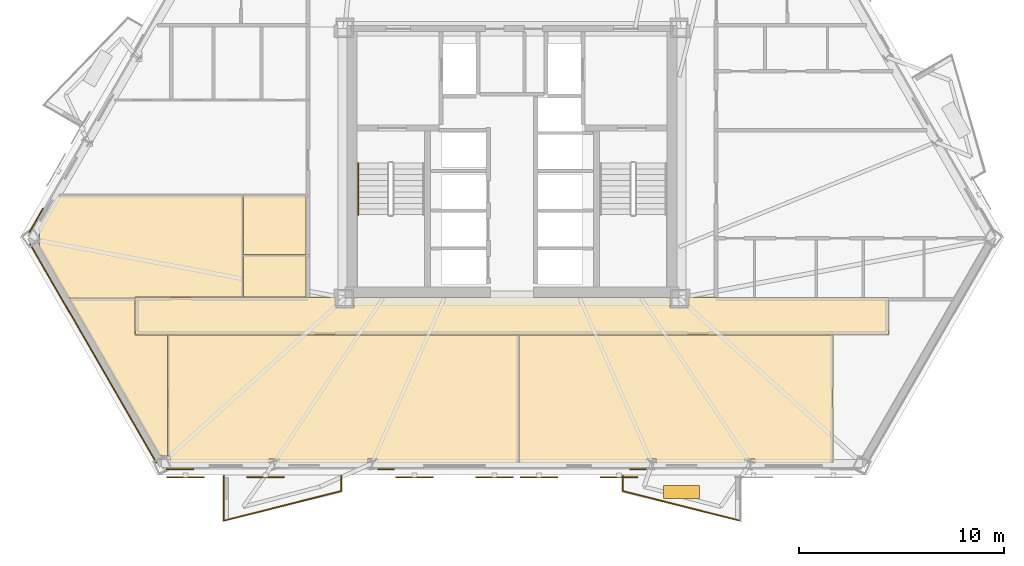
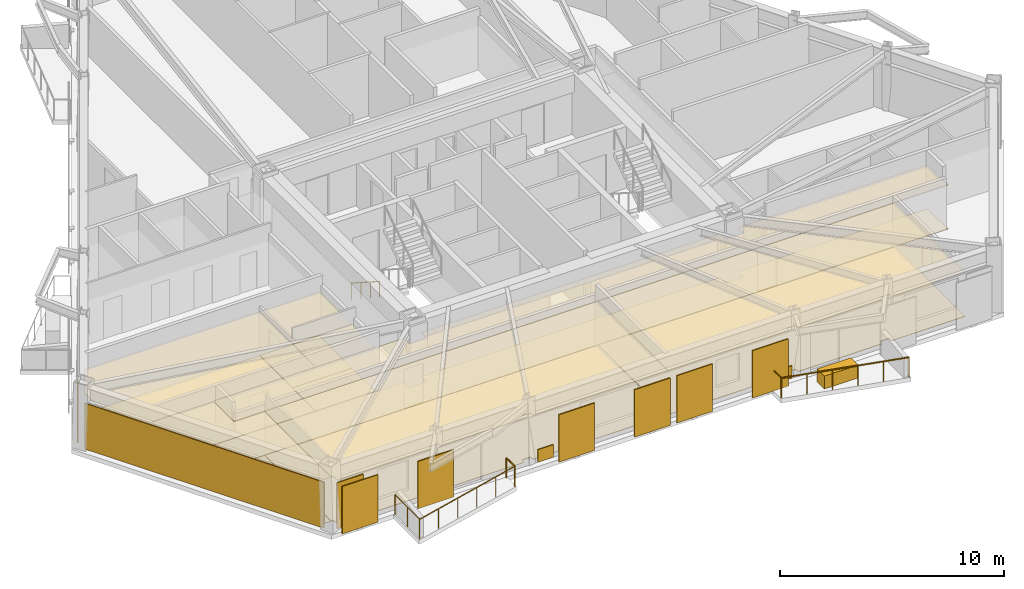
# One storey, part 8 of 11: 20 coverings, 6 railings, 6 shading devices.
"""IFC4 building model written with IfcOpenShell, lengths in metres."""

from ifc_helpers import new_model, si_unit, direction, frame, origin, origin_2d, place, context, subcontext, project, spatial, polyline, rectangle, circle, outline, extrude, material, layer, layer_set, type_object, element, save


model = new_model("IFC4")

# Units and contexts
model_context = context("Model", 3, precision=1e-05, world=origin(), true_north=direction((0.0, 1.0)))
body_context = subcontext(model_context, "Body", "Model", "MODEL_VIEW")
ifc_project = project(units=[si_unit("LENGTHUNIT", "METRE"), si_unit("AREAUNIT", "SQUARE_METRE"), si_unit("VOLUMEUNIT", "CUBIC_METRE"), si_unit("PLANEANGLEUNIT", "RADIAN"), si_unit("MASSUNIT", "GRAM", prefix="KILO")], contexts=[model_context])

# Site, building, storey
site_placement = place(None, origin())
site = spatial("IfcSite", under=ifc_project, at=site_placement, CompositionType="ELEMENT")
building_placement = place(site_placement, origin())
building = spatial("IfcBuilding", under=site, at=building_placement, Name="Oramaril Tower", CompositionType="ELEMENT")
storey_placement = place(building_placement, frame((0.0, 0.0, 82.5)))
storey = spatial("IfcBuildingStorey", under=building, at=storey_placement, Name="L21", CompositionType="ELEMENT", Elevation=82.5)

# Coverings
ifc_material_1 = material(Name="Mineral Fibre Acoustic Ceiling")
ifc_layer_1 = layer(ifc_material_1, 0.02001953125)
ifc_layer_set_1 = layer_set([ifc_layer_1], Name="CVT-CEIL")
covering_type_1 = type_object("IfcCoveringType", Name="CVT-CEIL", PredefinedType="CEILING", material=ifc_layer_set_1)
covering_1_placement = place(storey_placement, frame((0.0, 0.0, 2.39990234375)))
element("IfcCovering", 1, at=covering_1_placement, inside=storey, type_object=covering_type_1, Name="L21 Acoustic Suspended Ceiling 1", PredefinedType="CEILING", context=body_context, shape_type="SweptSolid", body=[
    extrude(outline(polyline([(28.905029296875, 10.554931640625), (29.794921875, 10.554931640625), (29.794921875, 11.030029296875), (45.205078125, 11.030029296875), (45.205078125, 10.554931640625), (46.094970703125, 10.554931640625), (46.094970703125, 11.030029296875), (55.8798828125, 11.030029296875), (55.8798828125, 9.219970703125), (19.1201171875, 9.219970703125), (19.1201171875, 11.030029296875), (28.905029296875, 11.030029296875), (28.905029296875, 10.554931640625)])), origin(), (0.0, 0.0, 1.0), 0.02001953125),
])
covering_2_placement = place(storey_placement, frame((0.0, 0.0, 2.39990234375)))
element("IfcCovering", 2, at=covering_2_placement, inside=storey, type_object=covering_type_1, Name="L21 Acoustic Suspended Ceiling 6", PredefinedType="CEILING", context=body_context, shape_type="SweptSolid", body=[
    extrude(outline(polyline([(30.9013671875, 3.1533203125), (30.438720703125, 3.1533203125), (30.438720703125, 2.947265625), (26.126220703125, 2.947265625), (26.126220703125, 3.1533203125), (25.651611328125, 3.1533203125), (25.651611328125, 2.947265625), (20.81591796875, 2.947265625), (20.81591796875, 3.30029296875), (20.704345703125, 3.30029296875), (20.704345703125, 9.199951171875), (37.842041015625, 9.199951171875), (37.842041015625, 2.947265625), (30.9013671875, 2.947265625), (30.9013671875, 3.1533203125)])), origin(), (0.0, 0.0, 1.0), 0.02001953125),
])
covering_3_placement = place(storey_placement, frame((0.0, 0.0, 2.39990234375)))
element("IfcCovering", 3, at=covering_3_placement, inside=storey, type_object=covering_type_1, Name="L21 Acoustic Suspended Ceiling 7", PredefinedType="CEILING", context=body_context, shape_type="SweptSolid", body=[
    extrude(outline(polyline([(20.30419921875, 3.30029296875), (15.863525390625, 10.991943359375), (19.10009765625, 10.991943359375), (19.10009765625, 9.219970703125), (19.10009765625, 9.218017578125), (19.100341796875, 9.216064453125), (19.100830078125, 9.214111328125), (19.1015625, 9.21240234375), (19.102294921875, 9.210693359375), (19.103515625, 9.208984375), (19.1044921875, 9.207275390625), (19.10595703125, 9.205810546875), (19.107421875, 9.20458984375), (19.10888671875, 9.203369140625), (19.110595703125, 9.202392578125), (19.1123046875, 9.201416015625), (19.1142578125, 9.200927734375), (19.1162109375, 9.200439453125), (19.117919921875, 9.2001953125), (19.1201171875, 9.199951171875), (20.684326171875, 9.199951171875), (20.684326171875, 3.30029296875), (20.30419921875, 3.30029296875)])), origin(), (0.0, 0.0, 1.0), 0.02001953125),
])
covering_4_placement = place(storey_placement, frame((0.0, 0.0, 2.39990234375)))
element("IfcCovering", 4, at=covering_4_placement, inside=storey, type_object=covering_type_1, Name="L21 Acoustic Suspended Ceiling 8", PredefinedType="CEILING", context=body_context, shape_type="SweptSolid", body=[
    extrude(outline(polyline([(49.348388671875, 2.947265625), (49.348388671875, 3.1533203125), (48.873779296875, 3.1533203125), (48.873779296875, 2.947265625), (44.561279296875, 2.947265625), (44.561279296875, 3.1533203125), (44.0986328125, 3.1533203125), (44.0986328125, 2.947265625), (37.862060546875, 2.947265625), (37.862060546875, 9.199951171875), (53.15185546875, 9.199951171875), (53.15185546875, 2.947265625), (49.348388671875, 2.947265625)])), origin(), (0.0, 0.0, 1.0), 0.02001953125),
])
covering_5_placement = place(storey_placement, frame((0.0, 0.0, 2.39990234375)))
element("IfcCovering", 5, at=covering_5_placement, inside=storey, type_object=covering_type_1, Name="L21 Acoustic Suspended Ceiling 10", PredefinedType="CEILING", context=body_context, shape_type="SweptSolid", body=[
    extrude(outline(polyline([(24.3720703125, 11.050048828125), (19.1201171875, 11.050048828125), (19.117919921875, 11.0498046875), (19.1162109375, 11.049560546875), (19.1142578125, 11.049072265625), (19.1123046875, 11.048583984375), (19.110595703125, 11.047607421875), (19.10888671875, 11.046630859375), (19.107421875, 11.04541015625), (19.10595703125, 11.044189453125), (19.1044921875, 11.042724609375), (19.103515625, 11.041015625), (19.102294921875, 11.039306640625), (19.1015625, 11.03759765625), (19.100830078125, 11.035888671875), (19.100341796875, 11.033935546875), (19.10009765625, 11.031982421875), (19.10009765625, 11.030029296875), (19.10009765625, 11.011962890625), (15.863525390625, 11.011962890625), (15.861572265625, 11.011962890625), (15.859619140625, 11.01171875), (15.857666015625, 11.010986328125), (15.855712890625, 11.010498046875), (15.85400390625, 11.009521484375), (15.853515625, 11.00927734375), (14.41015625, 13.50927734375), (14.45263671875, 13.50927734375), (14.45263671875, 14.3310546875), (14.363037109375, 14.3310546875), (15.350830078125, 16.0419921875), (24.3720703125, 16.0419921875), (24.3720703125, 11.050048828125)])), origin(), (0.0, 0.0, 1.0), 0.02001953125),
])
covering_6_placement = place(storey_placement, frame((0.0, 0.0, 2.39990234375)))
element("IfcCovering", 6, at=covering_6_placement, inside=storey, type_object=covering_type_1, Name="L21 Acoustic Suspended Ceiling 11", PredefinedType="CEILING", context=body_context, shape_type="SweptSolid", body=[
    extrude(outline(polyline([(27.449951171875, 13.111572265625), (27.449951171875, 11.050048828125), (24.39208984375, 11.050048828125), (24.39208984375, 13.111572265625), (27.449951171875, 13.111572265625)])), origin(), (0.0, 0.0, 1.0), 0.02001953125),
])
covering_7_placement = place(storey_placement, frame((0.0, 0.0, 2.39990234375)))
element("IfcCovering", 7, at=covering_7_placement, inside=storey, type_object=covering_type_1, Name="L21 Acoustic Suspended Ceiling 12", PredefinedType="CEILING", context=body_context, shape_type="SweptSolid", body=[
    extrude(outline(polyline([(27.449951171875, 16.0419921875), (27.449951171875, 13.131591796875), (24.39208984375, 13.131591796875), (24.39208984375, 16.0419921875), (27.449951171875, 16.0419921875)])), origin(), (0.0, 0.0, 1.0), 0.02001953125),
])
ifc_material_2 = material(Name="Warm Cream Limestone", Category="masonry")
ifc_layer_2 = layer(ifc_material_2, 0.050048828125)
ifc_layer_set_2 = layer_set([ifc_layer_2], Name="CVT-CLD")
covering_type_2 = type_object("IfcCoveringType", Name="CVT-CLD", PredefinedType="CLADDING", material=ifc_layer_set_2)
covering_8_placement = place(storey_placement, frame((17.068115234375, 8.3037109375, 0.0400390625), z_axis=(0.0, 0.0, 1.0), x_axis=(0.499995465495, -0.866028021766, 0.0)))
element("IfcCovering", 8, at=covering_8_placement, inside=storey, type_object=covering_type_2, Name="L21 Warm Cream Limestone Cladding", PredefinedType="CLADDING", context=body_context, shape_type="SweptSolid", body=[
    extrude(rectangle(XDim=12.34228515625, YDim=0.050048828125, at=origin_2d()), origin(), (0.0, 0.0, 1.0), 2.498046875),
])
covering_9_placement = place(storey_placement, frame((21.2958984375, 2.646240234375, 0.0400390625), z_axis=(0.0, 0.0, 1.0), x_axis=(1.0, 0.0, 0.0)))
element("IfcCovering", 9, at=covering_9_placement, inside=storey, type_object=covering_type_2, Name="L21 Warm Cream Limestone Cladding", PredefinedType="CLADDING", context=body_context, shape_type="SweptSolid", body=[
    extrude(rectangle(XDim=1.35009765625, YDim=0.050048828125, at=origin_2d()), origin(), (0.0, 0.0, 1.0), 2.498046875),
])
for number, where, z_axis, x_axis, name in (
    (10, (31.360595703125, 2.646240234375, 0.0400390625), (0.0, 0.0, 1.0), (1.0, 0.0, 0.0), "L21 Warm Cream Limestone Spandrel Cladding"),
    (11, (43.639404296875, 2.646240234375, 0.0400390625), (0.0, 0.0, 1.0), (1.0, 0.0, 0.0), "L21 Warm Cream Limestone Spandrel Cladding"),
):
    element("IfcCovering", number, at=place(storey_placement, frame(where, z_axis=z_axis, x_axis=x_axis)), inside=storey, type_object=covering_type_2, Name=name, PredefinedType="CLADDING", context=body_context, shape_type="SweptSolid", body=[
        extrude(rectangle(XDim=0.800048828125, YDim=0.050048828125, at=origin_2d()), origin(), (0.0, 0.0, 1.0), 0.679931640625),
    ])
covering_10_placement = place(storey_placement, frame((14.28271484375, 14.793701171875, 0.0400390625), z_axis=(0.0, 0.0, 1.0), x_axis=(-0.5, -0.866025403784, 0.0)))
element("IfcCovering", 12, at=covering_10_placement, inside=storey, type_object=covering_type_2, Name="L21 Warm Cream Limestone Cladding", PredefinedType="CLADDING", context=body_context, shape_type="SweptSolid", body=[
    extrude(rectangle(XDim=1.35009765625, YDim=0.050048828125, at=origin_2d()), origin(), (0.0, 0.0, 1.0), 2.498046875),
])
covering_11_placement = place(storey_placement, frame((45.769775390625, 1.542724609375, 0.0), z_axis=(0.0, 0.0, 1.0), x_axis=(1.0, 0.0, 0.0)))
element("IfcCovering", 13, at=covering_11_placement, inside=storey, type_object=covering_type_2, Name="L21 Structural Tree Planter Box L21-BAL-S2", PredefinedType="CLADDING", context=body_context, shape_type="SweptSolid", body=[
    extrude(rectangle(XDim=1.75, YDim=0.64990234375, at=origin_2d()), origin(), (0.0, 0.0, 1.0), 0.699951171875),
])
ifc_material_3 = material(Name="Honed Quartzite Stone Flooring", Category="masonry")
ifc_layer_3 = layer(ifc_material_3, 0.02490234375)
ifc_layer_set_3 = layer_set([ifc_layer_3], Name="CVT-FLR")
covering_type_3 = type_object("IfcCoveringType", Name="CVT-FLR", PredefinedType="FLOORING", material=ifc_layer_set_3)
covering_12_placement = place(storey_placement, origin())
element("IfcCovering", 14, at=covering_12_placement, inside=storey, type_object=covering_type_3, Name="L21 Honed Stone Floor Finish 1", PredefinedType="FLOORING", context=body_context, shape_type="SweptSolid", body=[
    extrude(outline(polyline([(28.905029296875, 10.554931640625), (29.794921875, 10.554931640625), (29.794921875, 11.030029296875), (45.205078125, 11.030029296875), (45.205078125, 10.554931640625), (46.094970703125, 10.554931640625), (46.094970703125, 11.030029296875), (55.8798828125, 11.030029296875), (55.8798828125, 9.219970703125), (19.1201171875, 9.219970703125), (19.1201171875, 11.030029296875), (28.905029296875, 11.030029296875), (28.905029296875, 10.554931640625)])), origin(), (0.0, 0.0, 1.0), 0.02490234375),
])
covering_13_placement = place(storey_placement, origin())
element("IfcCovering", 15, at=covering_13_placement, inside=storey, type_object=covering_type_3, Name="L21 Honed Stone Floor Finish 6", PredefinedType="FLOORING", context=body_context, shape_type="SweptSolid", body=[
    extrude(outline(polyline([(30.9013671875, 3.1533203125), (30.438720703125, 3.1533203125), (30.438720703125, 2.947265625), (26.126220703125, 2.947265625), (26.126220703125, 3.1533203125), (25.651611328125, 3.1533203125), (25.651611328125, 2.947265625), (20.81591796875, 2.947265625), (20.81591796875, 3.30029296875), (20.704345703125, 3.30029296875), (20.704345703125, 9.199951171875), (37.842041015625, 9.199951171875), (37.842041015625, 2.947265625), (30.9013671875, 2.947265625), (30.9013671875, 3.1533203125)])), origin(), (0.0, 0.0, 1.0), 0.02490234375),
])
covering_14_placement = place(storey_placement, origin())
element("IfcCovering", 16, at=covering_14_placement, inside=storey, type_object=covering_type_3, Name="L21 Honed Stone Floor Finish 7", PredefinedType="FLOORING", context=body_context, shape_type="SweptSolid", body=[
    extrude(outline(polyline([(20.30419921875, 3.30029296875), (15.863525390625, 10.991943359375), (19.10009765625, 10.991943359375), (19.10009765625, 9.219970703125), (19.10009765625, 9.218017578125), (19.100341796875, 9.216064453125), (19.100830078125, 9.214111328125), (19.1015625, 9.21240234375), (19.102294921875, 9.210693359375), (19.103515625, 9.208984375), (19.1044921875, 9.207275390625), (19.10595703125, 9.205810546875), (19.107421875, 9.20458984375), (19.10888671875, 9.203369140625), (19.110595703125, 9.202392578125), (19.1123046875, 9.201416015625), (19.1142578125, 9.200927734375), (19.1162109375, 9.200439453125), (19.117919921875, 9.2001953125), (19.1201171875, 9.199951171875), (20.684326171875, 9.199951171875), (20.684326171875, 3.30029296875), (20.30419921875, 3.30029296875)])), origin(), (0.0, 0.0, 1.0), 0.02490234375),
])
covering_15_placement = place(storey_placement, origin())
element("IfcCovering", 17, at=covering_15_placement, inside=storey, type_object=covering_type_3, Name="L21 Honed Stone Floor Finish 8", PredefinedType="FLOORING", context=body_context, shape_type="SweptSolid", body=[
    extrude(outline(polyline([(49.348388671875, 2.947265625), (49.348388671875, 3.1533203125), (48.873779296875, 3.1533203125), (48.873779296875, 2.947265625), (44.561279296875, 2.947265625), (44.561279296875, 3.1533203125), (44.0986328125, 3.1533203125), (44.0986328125, 2.947265625), (37.862060546875, 2.947265625), (37.862060546875, 9.199951171875), (53.15185546875, 9.199951171875), (53.15185546875, 2.947265625), (49.348388671875, 2.947265625)])), origin(), (0.0, 0.0, 1.0), 0.02490234375),
])
covering_16_placement = place(storey_placement, origin())
element("IfcCovering", 18, at=covering_16_placement, inside=storey, type_object=covering_type_3, Name="L21 Honed Stone Floor Finish 10", PredefinedType="FLOORING", context=body_context, shape_type="SweptSolid", body=[
    extrude(outline(polyline([(24.3720703125, 11.050048828125), (19.1201171875, 11.050048828125), (19.117919921875, 11.0498046875), (19.1162109375, 11.049560546875), (19.1142578125, 11.049072265625), (19.1123046875, 11.048583984375), (19.110595703125, 11.047607421875), (19.10888671875, 11.046630859375), (19.107421875, 11.04541015625), (19.10595703125, 11.044189453125), (19.1044921875, 11.042724609375), (19.103515625, 11.041015625), (19.102294921875, 11.039306640625), (19.1015625, 11.03759765625), (19.100830078125, 11.035888671875), (19.100341796875, 11.033935546875), (19.10009765625, 11.031982421875), (19.10009765625, 11.030029296875), (19.10009765625, 11.011962890625), (15.863525390625, 11.011962890625), (15.861572265625, 11.011962890625), (15.859619140625, 11.01171875), (15.857666015625, 11.010986328125), (15.855712890625, 11.010498046875), (15.85400390625, 11.009521484375), (15.853515625, 11.00927734375), (14.41015625, 13.50927734375), (14.45263671875, 13.50927734375), (14.45263671875, 14.3310546875), (14.363037109375, 14.3310546875), (15.350830078125, 16.0419921875), (24.3720703125, 16.0419921875), (24.3720703125, 11.050048828125)])), origin(), (0.0, 0.0, 1.0), 0.02490234375),
])
covering_17_placement = place(storey_placement, origin())
element("IfcCovering", 19, at=covering_17_placement, inside=storey, type_object=covering_type_3, Name="L21 Honed Stone Floor Finish 11", PredefinedType="FLOORING", context=body_context, shape_type="SweptSolid", body=[
    extrude(outline(polyline([(27.449951171875, 13.111572265625), (27.449951171875, 11.050048828125), (24.39208984375, 11.050048828125), (24.39208984375, 13.111572265625), (27.449951171875, 13.111572265625)])), origin(), (0.0, 0.0, 1.0), 0.02490234375),
])
covering_18_placement = place(storey_placement, origin())
element("IfcCovering", 20, at=covering_18_placement, inside=storey, type_object=covering_type_3, Name="L21 Honed Stone Floor Finish 12", PredefinedType="FLOORING", context=body_context, shape_type="SweptSolid", body=[
    extrude(outline(polyline([(27.449951171875, 16.0419921875), (27.449951171875, 13.131591796875), (24.39208984375, 13.131591796875), (24.39208984375, 16.0419921875), (27.449951171875, 16.0419921875)])), origin(), (0.0, 0.0, 1.0), 0.02490234375),
])

# Railings
ifc_material_4 = material(Name="Stainless Steel 316L", Category="steel")
railing_type_1 = type_object("IfcRailingType", Name="RLT-GRD", PredefinedType="GUARDRAIL", material=ifc_material_4)
railing_1_placement = place(storey_placement, frame((29.170166015625, 2.331298828125, 0.0)))
element("IfcRailing", 21, at=railing_1_placement, inside=storey, type_object=railing_type_1, Name="L21 Balcony Guardrail L21-BAL-S1.1", PredefinedType="GUARDRAIL", context=body_context, shape_type="SweptSolid", body=[
    extrude(circle(Radius=0.02392578125, at=origin_2d()), frame((0.0, 0.0, 1.076171875), z_axis=(0.0, -1.0, 0.0), x_axis=(1.0, 0.0, 0.0)), (0.0, 0.0, 1.0), 0.7421875),
    extrude(circle(Radius=0.02099609375, at=origin_2d()), origin(), (0.0, 0.0, 1.0), 1.052001953125),
    extrude(circle(Radius=0.02099609375, at=origin_2d()), frame((0.0, -0.7421875, 0.0)), (0.0, 0.0, 1.0), 1.052001953125),
])
railing_2_placement = place(storey_placement, frame((29.170166015625, 1.589111328125, 0.0)))
element("IfcRailing", 22, at=railing_2_placement, inside=storey, type_object=railing_type_1, Name="L21 Balcony Guardrail L21-BAL-S1.2", PredefinedType="GUARDRAIL", context=body_context, shape_type="SweptSolid", body=[
    extrude(circle(Radius=0.02392578125, at=origin_2d()), frame((0.0, 0.0, 1.076171875), z_axis=(-0.969443611257, -0.245314256807, 0.0), x_axis=(0.245314256807, -0.969443611257, 0.0)), (0.0, 0.0, 1.0), 5.91064453125),
    extrude(circle(Radius=0.02099609375, at=origin_2d()), origin(), (0.0, 0.0, 1.0), 1.052001953125),
    extrude(circle(Radius=0.02099609375, at=origin_2d()), frame((-1.14599609375, -0.2900390625, 0.0)), (0.0, 0.0, 1.0), 1.052001953125),
    extrude(circle(Radius=0.02099609375, at=origin_2d()), frame((-2.2919921875, -0.580078125, 0.0)), (0.0, 0.0, 1.0), 1.052001953125),
    extrude(circle(Radius=0.02099609375, at=origin_2d()), frame((-3.43798828125, -0.869873046875, 0.0)), (0.0, 0.0, 1.0), 1.052001953125),
    extrude(circle(Radius=0.02099609375, at=origin_2d()), frame((-4.583984375, -1.159912109375, 0.0)), (0.0, 0.0, 1.0), 1.052001953125),
    extrude(circle(Radius=0.02099609375, at=origin_2d()), frame((-5.72998046875, -1.449951171875, 0.0)), (0.0, 0.0, 1.0), 1.052001953125),
])
railing_3_placement = place(storey_placement, frame((23.440185546875, 0.13916015625, 0.0)))
element("IfcRailing", 23, at=railing_3_placement, inside=storey, type_object=railing_type_1, Name="L21 Balcony Guardrail L21-BAL-S1.3", PredefinedType="GUARDRAIL", context=body_context, shape_type="SweptSolid", body=[
    extrude(circle(Radius=0.02392578125, at=origin_2d()), frame((0.0, 0.0, 1.076171875), z_axis=(0.0, 1.0, 0.0), x_axis=(-1.0, 0.0, 0.0)), (0.0, 0.0, 1.0), 2.192138671875),
    extrude(circle(Radius=0.02099609375, at=origin_2d()), origin(), (0.0, 0.0, 1.0), 1.052001953125),
    extrude(circle(Radius=0.02099609375, at=origin_2d()), frame((0.0, 1.09619140625, 0.0)), (0.0, 0.0, 1.0), 1.052001953125),
    extrude(circle(Radius=0.02099609375, at=origin_2d()), frame((0.0, 2.192138671875, 0.0)), (0.0, 0.0, 1.0), 1.052001953125),
])
railing_4_placement = place(storey_placement, frame((48.634765625, 0.13916015625, 0.0)))
element("IfcRailing", 24, at=railing_4_placement, inside=storey, type_object=railing_type_1, Name="L21 Balcony Guardrail L21-BAL-S2.2", PredefinedType="GUARDRAIL", context=body_context, shape_type="SweptSolid", body=[
    extrude(circle(Radius=0.02392578125, at=origin_2d()), frame((0.0, 0.0, 1.076171875), z_axis=(-0.969443611257, 0.245314256807, 0.0), x_axis=(-0.245314256807, -0.969443611257, 0.0)), (0.0, 0.0, 1.0), 5.91064453125),
    extrude(circle(Radius=0.02099609375, at=origin_2d()), origin(), (0.0, 0.0, 1.0), 1.052001953125),
    extrude(circle(Radius=0.02099609375, at=origin_2d()), frame((-1.14599609375, 0.2900390625, 0.0)), (0.0, 0.0, 1.0), 1.052001953125),
    extrude(circle(Radius=0.02099609375, at=origin_2d()), frame((-2.2919921875, 0.580078125, 0.0)), (0.0, 0.0, 1.0), 1.052001953125),
    extrude(circle(Radius=0.02099609375, at=origin_2d()), frame((-3.43798828125, 0.869873046875, 0.0)), (0.0, 0.0, 1.0), 1.052001953125),
    extrude(circle(Radius=0.02099609375, at=origin_2d()), frame((-4.583984375, 1.159912109375, 0.0)), (0.0, 0.0, 1.0), 1.052001953125),
    extrude(circle(Radius=0.02099609375, at=origin_2d()), frame((-5.72998046875, 1.449951171875, 0.0)), (0.0, 0.0, 1.0), 1.052001953125),
])
railing_5_placement = place(storey_placement, frame((42.90478515625, 1.589111328125, 0.0)))
element("IfcRailing", 25, at=railing_5_placement, inside=storey, type_object=railing_type_1, Name="L21 Balcony Guardrail L21-BAL-S2.3", PredefinedType="GUARDRAIL", context=body_context, shape_type="SweptSolid", body=[
    extrude(circle(Radius=0.02392578125, at=origin_2d()), frame((0.0, 0.0, 1.076171875), z_axis=(0.0, 1.0, 0.0), x_axis=(-1.0, 0.0, 0.0)), (0.0, 0.0, 1.0), 0.7421875),
    extrude(circle(Radius=0.02099609375, at=origin_2d()), origin(), (0.0, 0.0, 1.0), 1.052001953125),
    extrude(circle(Radius=0.02099609375, at=origin_2d()), frame((0.0, 0.7421875, 0.0)), (0.0, 0.0, 1.0), 1.052001953125),
])
ifc_material_5 = material(Name="Stainless Steel 316L", Category="steel")
railing_type_2 = type_object("IfcRailingType", Name="RLT-HND", PredefinedType="HANDRAIL", material=ifc_material_5)
railing_6_placement = place(storey_placement, frame((30.0, 17.590087890625, 0.179931640625)))
element("IfcRailing", 26, at=railing_6_placement, inside=storey, type_object=railing_type_2, Name="L21 ST-1 stair handrail 1", PredefinedType="HANDRAIL", context=body_context, shape_type="SweptSolid", body=[
    extrude(circle(Radius=0.02392578125, at=origin_2d()), frame((0.0, 0.0, 0.8759765625), z_axis=(0.0, -0.841162588446, 0.540782303519), x_axis=(1.0, 0.0, 0.0)), (0.0, 0.0, 1.0), 2.995849609375),
    extrude(circle(Radius=0.02099609375, at=origin_2d()), origin(), (0.0, 0.0, 1.0), 0.851806640625),
    extrude(circle(Radius=0.02099609375, at=origin_2d()), frame((0.0, -0.840087890625, 0.5400390625)), (0.0, 0.0, 1.0), 0.851806640625),
    extrude(circle(Radius=0.02099609375, at=origin_2d()), frame((0.0, -1.679931640625, 1.080078125)), (0.0, 0.0, 1.0), 0.851806640625),
    extrude(circle(Radius=0.02099609375, at=origin_2d()), frame((0.0, -2.52001953125, 1.6201171875)), (0.0, 0.0, 1.0), 0.851806640625),
])

# Shading devices
for number, where, z_axis, x_axis, name in (
    (27, (21.577880859375, 2.25927734375, -0.02001953125), (0.0, 0.0, 1.0), (1.0, 0.0, 0.0), "L21 Perforated Ceramic Solar Screen"),
    (28, (25.477783203125, 2.25927734375, -0.02001953125), (0.0, 0.0, 1.0), (1.0, 0.0, 0.0), "L21 Perforated Ceramic Solar Screen"),
    (29, (32.738037109375, 2.25927734375, -0.02001953125), (0.0, 0.0, 1.0), (1.0, 0.0, 0.0), "L21 Perforated Ceramic Solar Screen"),
    (30, (36.637939453125, 2.25927734375, -0.02001953125), (0.0, 0.0, 1.0), (1.0, 0.0, 0.0), "L21 Perforated Ceramic Solar Screen"),
    (31, (38.81201171875, 2.25927734375, -0.02001953125), (0.0, 0.0, 1.0), (1.0, 0.0, 0.0), "L21 Perforated Ceramic Solar Screen"),
    (32, (42.7119140625, 2.25927734375, -0.02001953125), (0.0, 0.0, 1.0), (1.0, 0.0, 0.0), "L21 Perforated Ceramic Solar Screen"),
):
    element("IfcShadingDevice", number, at=place(storey_placement, frame(where, z_axis=z_axis, x_axis=x_axis)), inside=storey, Name=name, ObjectType="SCREEN", PredefinedType="USERDEFINED", context=body_context, shape_type="SweptSolid", body=[
        extrude(rectangle(XDim=1.8330078125, YDim=0.050048828125, at=origin_2d()), origin(), (0.0, 0.0, 1.0), 2.577880859375),
    ])

save(model, "model.ifc")
